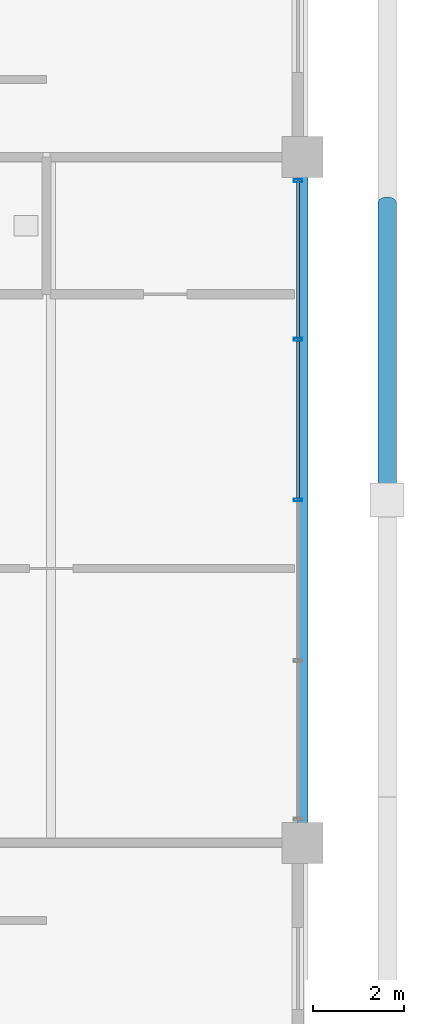
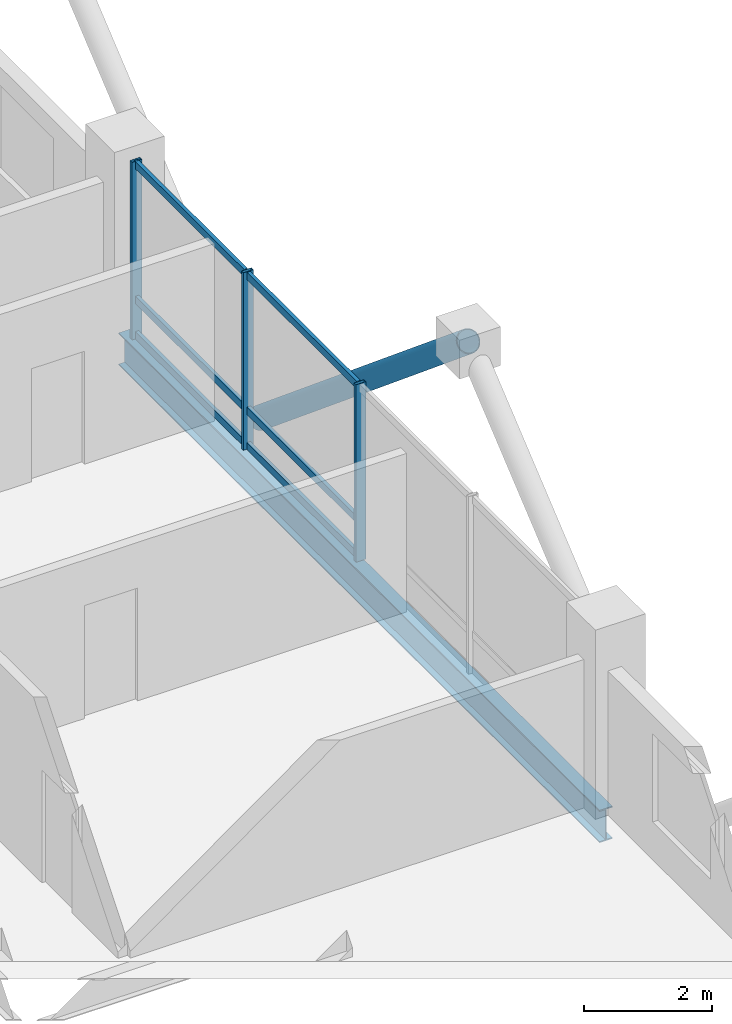
# One storey, part 12 of 22: 10 members, 1 beam, 1 element without a shape of its own.
"""IFC4 building model written with IfcOpenShell, lengths in metres."""

from ifc_helpers import new_model, si_unit, direction, frame, origin, origin_2d, place, context, subcontext, project, spatial, hollow_rectangle, hollow_circle, i_section, extrude, material, layer, layer_set, material_profile, profile_set, type_object, element, aggregate, save


model = new_model("IFC4")

# Units and contexts
model_context = context("Model", 3, precision=1e-05, world=origin(), true_north=direction((0.0, 1.0)))
body_context = subcontext(model_context, "Body", "Model", "MODEL_VIEW")
ifc_project = project(units=[si_unit("LENGTHUNIT", "METRE"), si_unit("AREAUNIT", "SQUARE_METRE"), si_unit("VOLUMEUNIT", "CUBIC_METRE"), si_unit("PLANEANGLEUNIT", "RADIAN"), si_unit("MASSUNIT", "GRAM", prefix="KILO")], contexts=[model_context])

# Site, building, storey
site_placement = place(None, origin())
site = spatial("IfcSite", under=ifc_project, at=site_placement, CompositionType="ELEMENT")
building_placement = place(site_placement, origin())
building = spatial("IfcBuilding", under=site, at=building_placement, Name="Barlavira Tower and Art Museum", CompositionType="ELEMENT")
storey_placement = place(building_placement, frame((0.0, 0.0, 258.300048828125)))
storey = spatial("IfcBuildingStorey", under=building, at=storey_placement, Name="L67", CompositionType="ELEMENT", Elevation=258.300048828125)

# Curtain wall, members
ifc_material_1 = material(Name="Low-iron coastal laminated glass", Category="glass")
ifc_layer = layer(ifc_material_1, 0.2099609375, Name="Low-iron coastal laminated glass")
ifc_layer_set = layer_set([ifc_layer], Name="Low-iron coastal laminated glass")
curtain_wall_type = type_object("IfcCurtainWallType", Name="Pale-Metal Unitised Curtain Wall Zone 4", PredefinedType="NOTDEFINED", material=ifc_layer_set)
curtain_wall_placement = place(storey_placement, origin())
curtain_wall = element("IfcCurtainWall", 1, at=curtain_wall_placement, inside=storey, type_object=curtain_wall_type, Name="L67 Curtain Wall CW4-L67-E-B3", PredefinedType="NOTDEFINED")
ifc_material_2 = material(Name="Pale anodised aluminium", Category="aluminium")
ifc_material_profile_1 = material_profile(ifc_material_2, hollow_rectangle(XDim=0.06494140625, YDim=0.179931640625, WallThickness=0.00390625, at=origin_2d()), Name="ALU-MULL 65x180x4")
ifc_profile_set_1 = profile_set([ifc_material_profile_1], Name="Pale anodised aluminium")
member_type_1 = type_object("IfcMemberType", Name="Curtain Wall Pale-Metal Mullion 65x180", PredefinedType="MULLION", material=ifc_profile_set_1)
member_1_placement = place(storey_placement, frame((16.89990234375, 0.0, 0.0), z_axis=(0.0, 0.0, 1.0), x_axis=(0.0, 1.0, 0.0)))
member_1 = element("IfcMember", 2, at=member_1_placement, type_object=member_type_1, Name="CW4-L67-E-B3 Mullion 2", PredefinedType="MULLION", context=body_context, shape_type="SweptSolid", body=[
    extrude(hollow_rectangle(XDim=0.06494140625, YDim=0.179931640625, WallThickness=0.00390625, at=origin_2d()), origin(), (0.0, 0.0, 1.0), 3.3798828125),
])
member_2_placement = place(storey_placement, frame((16.89990234375, 3.514892578125, 0.0), z_axis=(0.0, 0.0, 1.0), x_axis=(0.0, 1.0, 0.0)))
member_2 = element("IfcMember", 3, at=member_2_placement, type_object=member_type_1, Name="CW4-L67-E-B3 Mullion 3", PredefinedType="MULLION", context=body_context, shape_type="SweptSolid", body=[
    extrude(hollow_rectangle(XDim=0.06494140625, YDim=0.179931640625, WallThickness=0.00390625, at=origin_2d()), origin(), (0.0, 0.0, 1.0), 3.3798828125),
])
member_3_placement = place(storey_placement, frame((16.89990234375, 6.985107421875, 0.0), z_axis=(0.0, 0.0, 1.0), x_axis=(0.0, 1.0, 0.0)))
member_3 = element("IfcMember", 4, at=member_3_placement, type_object=member_type_1, Name="CW4-L67-E-B3 Mullion 4", PredefinedType="MULLION", context=body_context, shape_type="SweptSolid", body=[
    extrude(hollow_rectangle(XDim=0.06494140625, YDim=0.179931640625, WallThickness=0.00390625, at=origin_2d()), origin(), (0.0, 0.0, 1.0), 3.3798828125),
])
ifc_material_profile_2 = material_profile(ifc_material_2, hollow_rectangle(XDim=0.06494140625, YDim=0.139892578125, WallThickness=0.00390625, at=origin_2d()), Name="ALU-TRAN 65x140x4")
ifc_profile_set_2 = profile_set([ifc_material_profile_2], Name="Pale anodised aluminium")
member_type_2 = type_object("IfcMemberType", Name="Curtain Wall Pale-Metal Transom 65x140", PredefinedType="USERDEFINED", material=ifc_profile_set_2)
member_4_placement = place(storey_placement, frame((16.89990234375, 0.044921875, 0.070068359375), z_axis=(0.0, 1.0, 0.0), x_axis=(-1.0, 0.0, 0.0)))
member_4 = element("IfcMember", 5, at=member_4_placement, type_object=member_type_2, Name="CW4-L67-E-B3 Transom 2.1", ObjectType="TRANSOM", PredefinedType="USERDEFINED", context=body_context, shape_type="SweptSolid", body=[
    extrude(hollow_rectangle(XDim=0.06494140625, YDim=0.139892578125, WallThickness=0.00390625, at=origin_2d()), origin(), (0.0, 0.0, 1.0), 3.425048828125),
])
member_5_placement = place(storey_placement, frame((16.89990234375, 0.044921875, 0.743896484375), z_axis=(0.0, 1.0, 0.0), x_axis=(-1.0, 0.0, 0.0)))
member_5 = element("IfcMember", 6, at=member_5_placement, type_object=member_type_2, Name="CW4-L67-E-B3 Transom 2.2", ObjectType="TRANSOM", PredefinedType="USERDEFINED", context=body_context, shape_type="SweptSolid", body=[
    extrude(hollow_rectangle(XDim=0.06494140625, YDim=0.139892578125, WallThickness=0.00390625, at=origin_2d()), origin(), (0.0, 0.0, 1.0), 3.425048828125),
])
member_6_placement = place(storey_placement, frame((16.89990234375, 0.044921875, 3.31005859375), z_axis=(0.0, 1.0, 0.0), x_axis=(-1.0, 0.0, 0.0)))
member_6 = element("IfcMember", 7, at=member_6_placement, type_object=member_type_2, Name="CW4-L67-E-B3 Transom 2.3", ObjectType="TRANSOM", PredefinedType="USERDEFINED", context=body_context, shape_type="SweptSolid", body=[
    extrude(hollow_rectangle(XDim=0.06494140625, YDim=0.139892578125, WallThickness=0.00390625, at=origin_2d()), origin(), (0.0, 0.0, 1.0), 3.425048828125),
])
member_7_placement = place(storey_placement, frame((16.89990234375, 3.56005859375, 0.070068359375), z_axis=(0.0, 1.0, 0.0), x_axis=(-1.0, 0.0, 0.0)))
member_7 = element("IfcMember", 8, at=member_7_placement, type_object=member_type_2, Name="CW4-L67-E-B3 Transom 3.1", ObjectType="TRANSOM", PredefinedType="USERDEFINED", context=body_context, shape_type="SweptSolid", body=[
    extrude(hollow_rectangle(XDim=0.06494140625, YDim=0.139892578125, WallThickness=0.00390625, at=origin_2d()), origin(), (0.0, 0.0, 1.0), 3.425048828125),
])
member_8_placement = place(storey_placement, frame((16.89990234375, 3.56005859375, 0.743896484375), z_axis=(0.0, 1.0, 0.0), x_axis=(-1.0, 0.0, 0.0)))
member_8 = element("IfcMember", 9, at=member_8_placement, type_object=member_type_2, Name="CW4-L67-E-B3 Transom 3.2", ObjectType="TRANSOM", PredefinedType="USERDEFINED", context=body_context, shape_type="SweptSolid", body=[
    extrude(hollow_rectangle(XDim=0.06494140625, YDim=0.139892578125, WallThickness=0.00390625, at=origin_2d()), origin(), (0.0, 0.0, 1.0), 3.425048828125),
])
member_9_placement = place(storey_placement, frame((16.89990234375, 3.56005859375, 3.31005859375), z_axis=(0.0, 1.0, 0.0), x_axis=(-1.0, 0.0, 0.0)))
member_9 = element("IfcMember", 10, at=member_9_placement, type_object=member_type_2, Name="CW4-L67-E-B3 Transom 3.3", ObjectType="TRANSOM", PredefinedType="USERDEFINED", context=body_context, shape_type="SweptSolid", body=[
    extrude(hollow_rectangle(XDim=0.06494140625, YDim=0.139892578125, WallThickness=0.00390625, at=origin_2d()), origin(), (0.0, 0.0, 1.0), 3.425048828125),
])
aggregate(curtain_wall, [member_1, member_2, member_3, member_4, member_5, member_6, member_7, member_8, member_9])

# Member
ifc_material_3 = material(Name="Steel S355", Category="steel")
ifc_material_profile_3 = material_profile(ifc_material_3, hollow_circle(Radius=0.203125, WallThickness=0.01611328125, at=origin_2d()), Name="CHS 406.4x16.0")
ifc_profile_set_3 = profile_set([ifc_material_profile_3], Name="Steel S355")
member_type_3 = type_object("IfcMemberType", Name="Pale-Metal Exoskeleton Diagrid Tube CHS 406x16 Steel S355", PredefinedType="BRACE", material=ifc_profile_set_3)
member_10_placement = place(storey_placement, frame((18.85009765625, 6.5, -1.920166015625), z_axis=(0.0, -0.76918185268, 0.639029950399), x_axis=(1.0, 0.0, 0.0)))
element("IfcMember", 11, at=member_10_placement, inside=storey, type_object=member_type_3, Name="L67 Exoskeleton Diagrid Tube E", PredefinedType="BRACE", context=body_context, shape_type="SweptSolid", body=[
    extrude(hollow_circle(Radius=0.203125, WallThickness=0.01611328125, at=origin_2d()), origin(), (0.0, 0.0, 1.0), 8.450439453125),
])

# Beam
ifc_material_profile_4 = material_profile(ifc_material_3, i_section(OverallWidth=0.22998046875, OverallDepth=0.616943359375, WebThickness=0.01318359375, FlangeThickness=0.022216796875, at=origin_2d()), Name="W610x140.0")
ifc_profile_set_4 = profile_set([ifc_material_profile_4], Name="Steel S355")
beam_type = type_object("IfcBeamType", Name="Upper Shaft Spandrel Edge Beam W610x140 Steel S355", PredefinedType="SPANDREL", material=ifc_profile_set_4)
beam_placement = place(storey_placement, frame((17.0, -7.5, -0.528564453125), z_axis=(0.0, 1.0, 0.0), x_axis=(-1.0, 0.0, 0.0)))
element("IfcBeam", 12, at=beam_placement, inside=storey, type_object=beam_type, Name="L67 Spandrel 6", PredefinedType="SPANDREL", context=body_context, shape_type="SweptSolid", body=[
    extrude(i_section(OverallWidth=0.22998046875, OverallDepth=0.616943359375, WebThickness=0.01318359375, FlangeThickness=0.022216796875, at=origin_2d()), origin(), (0.0, 0.0, 1.0), 15.0),
])

save(model, "model.ifc")
